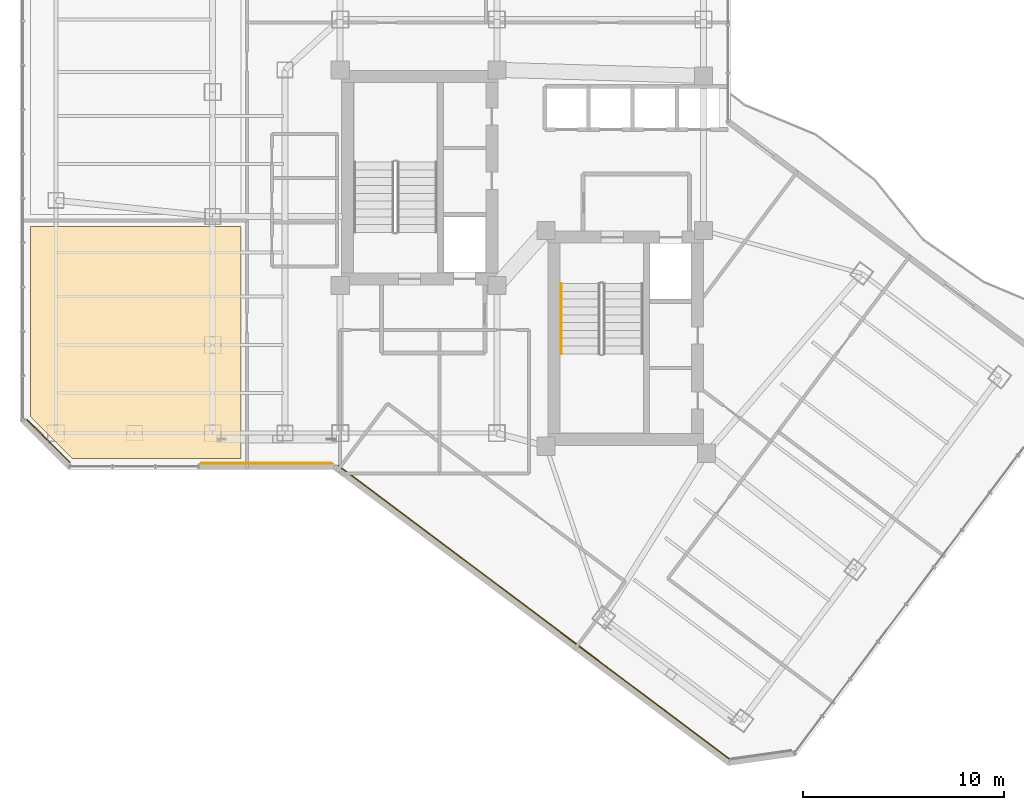
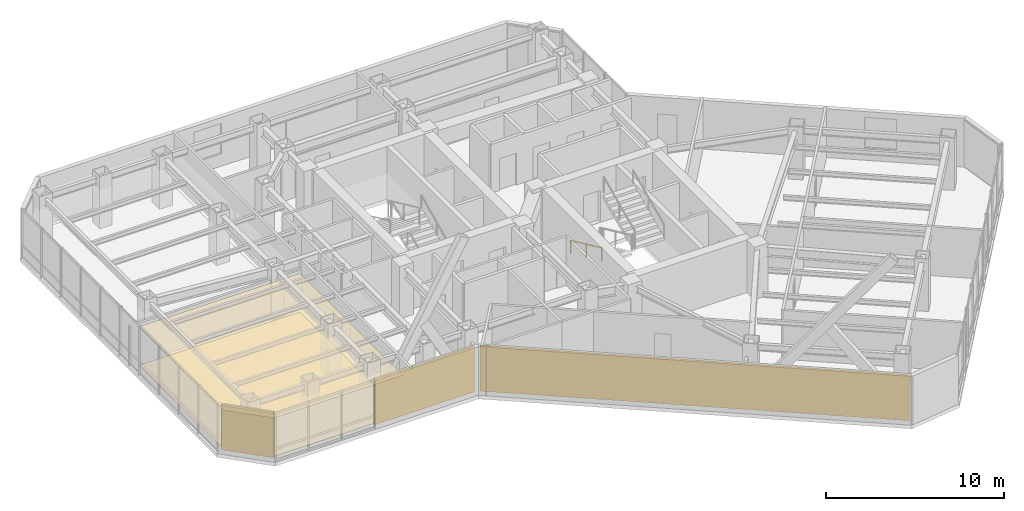
# One storey, part 25 of 27: 5 coverings, 1 railing.
"""IFC4 building model written with IfcOpenShell, lengths in metres."""

from ifc_helpers import new_model, si_unit, direction, frame, origin, origin_2d, place, context, subcontext, project, spatial, polyline, rectangle, circle, outline, extrude, material, layer, layer_set, type_object, element, save


model = new_model("IFC4")

# Units and contexts
model_context = context("Model", 3, precision=1e-05, world=origin(), true_north=direction((0.0, 1.0)))
body_context = subcontext(model_context, "Body", "Model", "MODEL_VIEW")
ifc_project = project(units=[si_unit("LENGTHUNIT", "METRE"), si_unit("AREAUNIT", "SQUARE_METRE"), si_unit("VOLUMEUNIT", "CUBIC_METRE"), si_unit("PLANEANGLEUNIT", "RADIAN"), si_unit("MASSUNIT", "GRAM", prefix="KILO")], contexts=[model_context])

# Site, building, storey
site_placement = place(None, origin())
site = spatial("IfcSite", under=ifc_project, at=site_placement, CompositionType="ELEMENT")
building_placement = place(site_placement, origin())
building = spatial("IfcBuilding", under=site, at=building_placement, Name="Hatsunagi Terrace Concourse", CompositionType="ELEMENT")
storey_placement = place(building_placement, frame((0.0, 0.0, 156.449951171875)))
storey = spatial("IfcBuildingStorey", under=building, at=storey_placement, Name="L41", CompositionType="ELEMENT", Elevation=156.449951171875)

# Covering
ifc_material_1 = material(Name="Hardwood timber", Category="wood")
ifc_layer_1 = layer(ifc_material_1, 0.014892578125)
ifc_layer_set_1 = layer_set([ifc_layer_1], Name="HardwoodTimberFlooring_15")
covering_type_1 = type_object("IfcCoveringType", Name="HardwoodTimberFlooring_15", PredefinedType="FLOORING", material=ifc_layer_set_1)
covering_1_placement = place(storey_placement, origin())
element("IfcCovering", 1, at=covering_1_placement, inside=storey, type_object=covering_type_1, Name="Finished Flooring L41-2", PredefinedType="FLOORING", context=body_context, shape_type="SweptSolid", body=[
    extrude(outline(polyline([(12.219970703125, 23.929931640625), (20.60009765625, 23.929931640625), (20.60009765625, 35.5), (10.1298828125, 35.5), (10.1298828125, 26.02001953125), (12.219970703125, 23.929931640625)])), origin(), (0.0, 0.0, 1.0), 0.01513671875),
])

# Railing
ifc_material_2 = material(Name="Stainless steel", Category="steel")
ifc_layer_2 = layer(ifc_material_2, 0.044921875)
ifc_layer_set_2 = layer_set([ifc_layer_2], Name="StairPitchHandrail_Tower2000")
railing_type = type_object("IfcRailingType", Name="StairPitchHandrail_Tower2000", PredefinedType="HANDRAIL", material=ifc_layer_set_2)
railing_placement = place(storey_placement, frame((36.550048828125, 32.659912109375, 0.179931640625)))
element("IfcRailing", 2, at=railing_placement, inside=storey, type_object=railing_type, Name="L41 ST-B stair handrail 1", PredefinedType="HANDRAIL", context=body_context, shape_type="SweptSolid", body=[
    extrude(circle(Radius=0.02392578125, at=origin_2d()), frame((0.0, 0.0, 0.8759765625), z_axis=(0.0, -0.907948293929, 0.419082206198), x_axis=(1.0, 0.0, 0.0)), (0.0, 0.0, 1.0), 3.865966796875),
    extrude(circle(Radius=0.02099609375, at=origin_2d()), origin(), (0.0, 0.0, 1.0), 0.851806640625),
    extrude(circle(Radius=0.02099609375, at=origin_2d()), frame((0.0, -1.7548828125, 0.81005859375)), (0.0, 0.0, 1.0), 0.851806640625),
    extrude(circle(Radius=0.02099609375, at=origin_2d()), frame((0.0, -3.510009765625, 1.6201171875)), (0.0, 0.0, 1.0), 0.851806640625),
])

# Coverings
ifc_material_3 = material(Name="Unglazed Warm Terracotta Rainscreen Tile", Category="masonry")
ifc_layer_3 = layer(ifc_material_3, 0.044921875)
ifc_layer_set_3 = layer_set([ifc_layer_3], Name="TerracottaRainscreenCladding_45")
covering_type_2 = type_object("IfcCoveringType", Name="TerracottaRainscreenCladding_45", PredefinedType="CLADDING", material=ifc_layer_set_3)
covering_2_placement = place(storey_placement, frame((35.179931640625, 16.29296875, 0.10009765625), z_axis=(0.0, 0.0, 1.0), x_axis=(-0.800005211305, 0.599993051531, 0.0)))
element("IfcCovering", 3, at=covering_2_placement, inside=storey, type_object=covering_type_2, Name="Terracotta Rainscreen Cladding L41-05", PredefinedType="CLADDING", context=body_context, shape_type="SweptSolid", body=[
    extrude(rectangle(XDim=24.34912109375, YDim=0.044921875, at=origin_2d()), origin(), (0.0, 0.0, 1.0), 3.14990234375),
])
covering_3_placement = place(storey_placement, frame((21.873046875, 23.701904296875, 0.10009765625), z_axis=(0.0, 0.0, 1.0), x_axis=(-1.0, 0.0, 0.0)))
element("IfcCovering", 4, at=covering_3_placement, inside=storey, type_object=covering_type_2, Name="Terracotta Rainscreen Cladding L41-06", PredefinedType="CLADDING", context=body_context, shape_type="SweptSolid", body=[
    extrude(rectangle(XDim=6.507080078125, YDim=0.044921875, at=origin_2d()), origin(), (0.0, 0.0, 1.0), 3.14990234375),
])
covering_4_placement = place(storey_placement, frame((11.013916015625, 24.81396484375, 0.10009765625), z_axis=(0.0, 0.0, 1.0), x_axis=(-0.707106781187, 0.707106781187, 0.0)))
element("IfcCovering", 5, at=covering_4_placement, inside=storey, type_object=covering_type_2, Name="Terracotta Rainscreen Cladding L41-08", PredefinedType="CLADDING", context=body_context, shape_type="SweptSolid", body=[
    extrude(rectangle(XDim=3.0380859375, YDim=0.044921875, at=origin_2d()), origin(), (0.0, 0.0, 1.0), 3.14990234375),
])
ifc_material_4 = material(Name="Hardwood timber", Category="wood")
ifc_layer_4 = layer(ifc_material_4, 0.034912109375)
ifc_layer_set_4 = layer_set([ifc_layer_4], Name="TimberBaffleCeiling_35")
covering_type_3 = type_object("IfcCoveringType", Name="TimberBaffleCeiling_35", PredefinedType="CEILING", material=ifc_layer_set_4)
covering_5_placement = place(storey_placement, frame((0.0, 0.0, 2.630126953125)))
element("IfcCovering", 6, at=covering_5_placement, inside=storey, type_object=covering_type_3, Name="Suspended Ceiling L41-2", PredefinedType="CEILING", context=body_context, shape_type="SweptSolid", body=[
    extrude(outline(polyline([(12.219970703125, 23.929931640625), (20.60009765625, 23.929931640625), (20.60009765625, 35.5), (10.1298828125, 35.5), (10.1298828125, 26.02001953125), (12.219970703125, 23.929931640625)])), origin(), (0.0, 0.0, 1.0), 0.034912109375),
])

save(model, "model.ifc")
